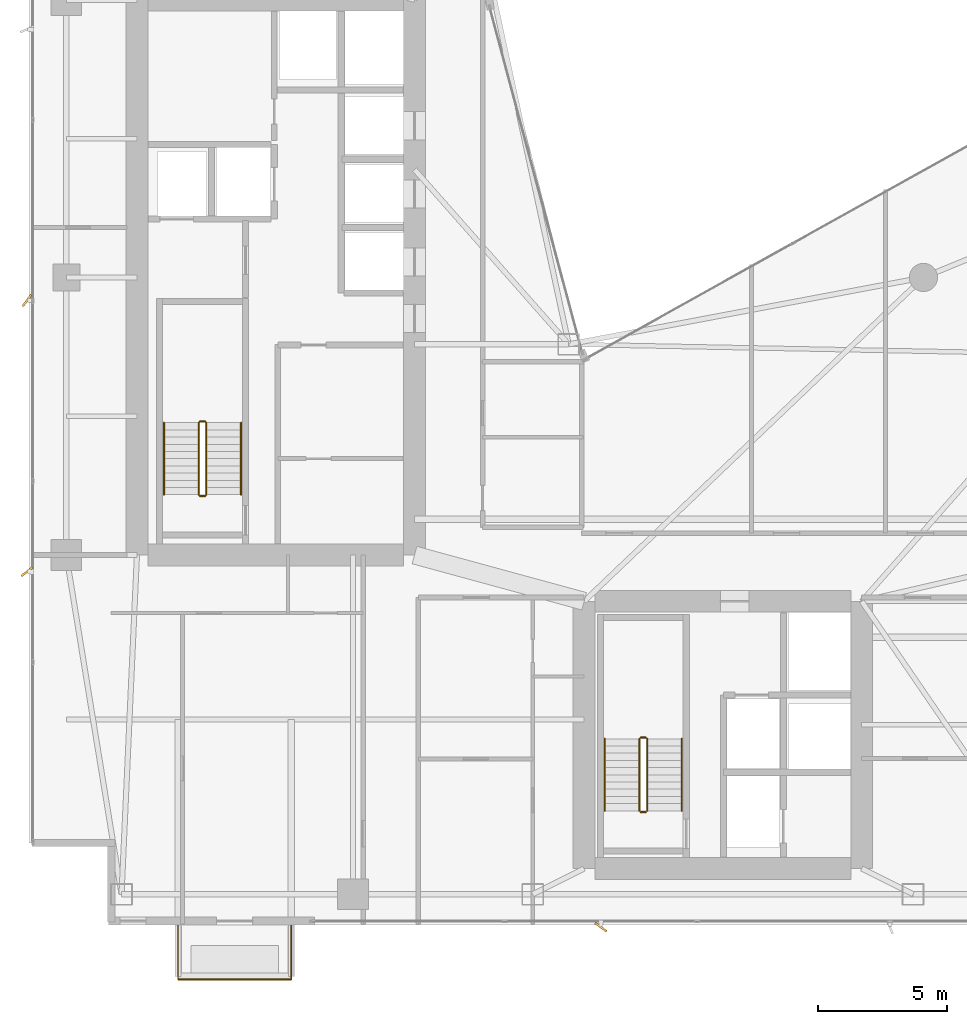
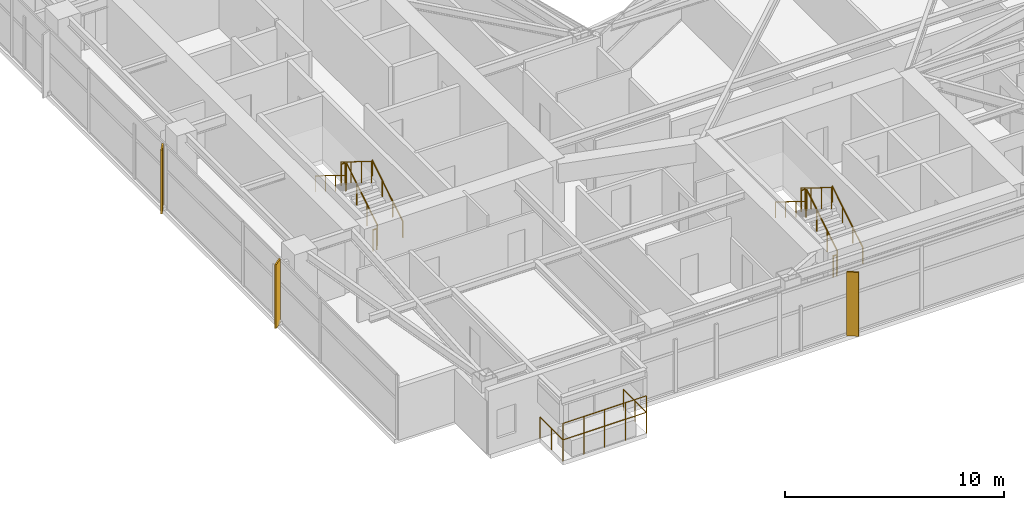
# One storey, part 28 of 29: 14 railings, 3 shading devices.
"""IFC4 building model written with IfcOpenShell, lengths in metres."""

from ifc_helpers import new_model, si_unit, direction, frame, origin, origin_2d, place, context, subcontext, project, spatial, rectangle, circle, extrude, material, type_object, element, save


model = new_model("IFC4")

# Units and contexts
model_context = context("Model", 3, precision=1e-05, world=origin(), true_north=direction((0.0, 1.0)))
body_context = subcontext(model_context, "Body", "Model", "MODEL_VIEW")
ifc_project = project(units=[si_unit("LENGTHUNIT", "METRE"), si_unit("AREAUNIT", "SQUARE_METRE"), si_unit("VOLUMEUNIT", "CUBIC_METRE"), si_unit("PLANEANGLEUNIT", "RADIAN"), si_unit("MASSUNIT", "GRAM", prefix="KILO")], contexts=[model_context])

# Site, building, storey
site_placement = place(None, origin())
site = spatial("IfcSite", under=ifc_project, at=site_placement, CompositionType="ELEMENT")
building_placement = place(site_placement, origin())
building = spatial("IfcBuilding", under=site, at=building_placement, Name="Calvorn Quay Hotel", CompositionType="ELEMENT")
storey_placement = place(building_placement, frame((0.0, 0.0, 175.10009765625)))
storey = spatial("IfcBuildingStorey", under=building, at=storey_placement, Name="L43", CompositionType="ELEMENT", Elevation=175.10009765625)

# Railings
ifc_material_1 = material(Name="Pale Anodised Aluminium and Laminated Glass", Category="aluminium")
railing_type_1 = type_object("IfcRailingType", Name="RLG-BALUSTRADE-1200", PredefinedType="BALUSTRADE", material=ifc_material_1)
railing_1_placement = place(storey_placement, frame((5.800048828125, 2.389892578125, 0.0)))
element("IfcRailing", 1, at=railing_1_placement, inside=storey, type_object=railing_type_1, Name="Tree Balcony Perimeter Balustrade L43-BALC-S", PredefinedType="BALUSTRADE", context=body_context, shape_type="SweptSolid", body=[
    extrude(circle(Radius=0.02392578125, at=origin_2d()), frame((0.0, 0.0, 1.17578125), z_axis=(0.0, -1.0, 0.0), x_axis=(1.0, 0.0, 0.0)), (0.0, 0.0, 1.0), 2.099853515625),
    extrude(circle(Radius=0.02392578125, at=origin_2d()), frame((0.0, -2.099853515625, 1.17578125), z_axis=(1.0, 0.0, 0.0), x_axis=(0.0, 1.0, 0.0)), (0.0, 0.0, 1.0), 4.39990234375),
    extrude(circle(Radius=0.02392578125, at=origin_2d()), frame((4.39990234375, -2.099853515625, 1.17578125), z_axis=(0.0, 1.0, 0.0), x_axis=(-1.0, 0.0, 0.0)), (0.0, 0.0, 1.0), 2.099853515625),
    extrude(circle(Radius=0.02099609375, at=origin_2d()), origin(), (0.0, 0.0, 1.0), 1.15185546875),
    extrude(circle(Radius=0.02099609375, at=origin_2d()), frame((0.0, -1.0498046875, 0.0)), (0.0, 0.0, 1.0), 1.15185546875),
    extrude(circle(Radius=0.02099609375, at=origin_2d()), frame((0.0, -2.099853515625, 0.0)), (0.0, 0.0, 1.0), 1.15185546875),
    extrude(circle(Radius=0.02099609375, at=origin_2d()), frame((1.10009765625, -2.099853515625, 0.0)), (0.0, 0.0, 1.0), 1.15185546875),
    extrude(circle(Radius=0.02099609375, at=origin_2d()), frame((2.199951171875, -2.099853515625, 0.0)), (0.0, 0.0, 1.0), 1.15185546875),
    extrude(circle(Radius=0.02099609375, at=origin_2d()), frame((3.2998046875, -2.099853515625, 0.0)), (0.0, 0.0, 1.0), 1.15185546875),
    extrude(circle(Radius=0.02099609375, at=origin_2d()), frame((4.39990234375, -2.099853515625, 0.0)), (0.0, 0.0, 1.0), 1.15185546875),
    extrude(circle(Radius=0.02099609375, at=origin_2d()), frame((4.39990234375, -1.0498046875, 0.0)), (0.0, 0.0, 1.0), 1.15185546875),
    extrude(circle(Radius=0.02099609375, at=origin_2d()), frame((4.39990234375, 0.0, 0.0)), (0.0, 0.0, 1.0), 1.15185546875),
])
railing_2_placement = place(storey_placement, frame((5.800048828125, 0.2900390625, 0.89990234375)))
element("IfcRailing", 2, at=railing_2_placement, inside=storey, type_object=railing_type_1, Name="Planter Kerb High Safety Screen L43-BALC-S", PredefinedType="BALUSTRADE", context=body_context, shape_type="SweptSolid", body=[
    extrude(circle(Radius=0.02392578125, at=origin_2d()), frame((0.0, 0.0, 1.19580078125), z_axis=(1.0, 0.0, 0.0), x_axis=(0.0, 1.0, 0.0)), (0.0, 0.0, 1.0), 4.39990234375),
    extrude(circle(Radius=0.02099609375, at=origin_2d()), origin(), (0.0, 0.0, 1.0), 1.171875),
    extrude(circle(Radius=0.02099609375, at=origin_2d()), frame((1.10009765625, 0.0, 0.0)), (0.0, 0.0, 1.0), 1.171875),
    extrude(circle(Radius=0.02099609375, at=origin_2d()), frame((2.199951171875, 0.0, 0.0)), (0.0, 0.0, 1.0), 1.171875),
    extrude(circle(Radius=0.02099609375, at=origin_2d()), frame((3.2998046875, 0.0, 0.0)), (0.0, 0.0, 1.0), 1.171875),
    extrude(circle(Radius=0.02099609375, at=origin_2d()), frame((4.39990234375, 0.0, 0.0)), (0.0, 0.0, 1.0), 1.171875),
])
ifc_material_2 = material(Name="Brushed Stainless Steel Handrail", Category="steel")
railing_type_2 = type_object("IfcRailingType", Name="RLG-HANDRAIL-900", PredefinedType="HANDRAIL", material=ifc_material_2)
railing_3_placement = place(storey_placement, frame((8.25, 19.14990234375, 0.172607421875)))
element("IfcRailing", 3, at=railing_3_placement, inside=storey, type_object=railing_type_2, Name="L43 ST-W stair handrail 1", PredefinedType="HANDRAIL", context=body_context, shape_type="SweptSolid", body=[
    extrude(circle(Radius=0.02392578125, at=origin_2d()), frame((0.0, 0.0, 0.8759765625), z_axis=(0.0, 0.851089632645, 0.525020415988), x_axis=(-1.0, 0.0, 0.0)), (0.0, 0.0, 1.0), 3.2900390625),
    extrude(circle(Radius=0.02099609375, at=origin_2d()), origin(), (0.0, 0.0, 1.0), 0.851806640625),
    extrude(circle(Radius=0.02099609375, at=origin_2d()), frame((0.0, 0.933349609375, 0.57568359375)), (0.0, 0.0, 1.0), 0.851806640625),
    extrude(circle(Radius=0.02099609375, at=origin_2d()), frame((0.0, 1.86669921875, 1.151611328125)), (0.0, 0.0, 1.0), 0.851806640625),
    extrude(circle(Radius=0.02099609375, at=origin_2d()), frame((0.0, 2.800048828125, 1.727294921875)), (0.0, 0.0, 1.0), 0.851806640625),
])
railing_4_placement = place(storey_placement, frame((5.25, 21.949951171875, 2.072509765625)))
element("IfcRailing", 4, at=railing_4_placement, inside=storey, type_object=railing_type_2, Name="L43 ST-W stair handrail 2", PredefinedType="HANDRAIL", context=body_context, shape_type="SweptSolid", body=[
    extrude(circle(Radius=0.02392578125, at=origin_2d()), frame((0.0, 0.0, 0.8759765625), z_axis=(0.0, -0.851089632645, 0.525020415988), x_axis=(1.0, 0.0, 0.0)), (0.0, 0.0, 1.0), 3.2900390625),
    extrude(circle(Radius=0.02099609375, at=origin_2d()), origin(), (0.0, 0.0, 1.0), 0.851806640625),
    extrude(circle(Radius=0.02099609375, at=origin_2d()), frame((0.0, -0.933349609375, 0.57568359375)), (0.0, 0.0, 1.0), 0.851806640625),
    extrude(circle(Radius=0.02099609375, at=origin_2d()), frame((0.0, -1.86669921875, 1.151611328125)), (0.0, 0.0, 1.0), 0.851806640625),
    extrude(circle(Radius=0.02099609375, at=origin_2d()), frame((0.0, -2.800048828125, 1.727294921875)), (0.0, 0.0, 1.0), 0.851806640625),
])
railing_5_placement = place(storey_placement, frame((25.39990234375, 6.85009765625, 0.172607421875)))
element("IfcRailing", 5, at=railing_5_placement, inside=storey, type_object=railing_type_2, Name="L43 ST-E stair handrail 1", PredefinedType="HANDRAIL", context=body_context, shape_type="SweptSolid", body=[
    extrude(circle(Radius=0.02392578125, at=origin_2d()), frame((0.0, 0.0, 0.8759765625), z_axis=(0.0, 0.851069175582, 0.525053576669), x_axis=(-1.0, 0.0, 0.0)), (0.0, 0.0, 1.0), 3.289794921875),
    extrude(circle(Radius=0.02099609375, at=origin_2d()), origin(), (0.0, 0.0, 1.0), 0.851806640625),
    extrude(circle(Radius=0.02099609375, at=origin_2d()), frame((0.0, 0.933349609375, 0.57568359375)), (0.0, 0.0, 1.0), 0.851806640625),
    extrude(circle(Radius=0.02099609375, at=origin_2d()), frame((0.0, 1.866455078125, 1.151611328125)), (0.0, 0.0, 1.0), 0.851806640625),
    extrude(circle(Radius=0.02099609375, at=origin_2d()), frame((0.0, 2.7998046875, 1.727294921875)), (0.0, 0.0, 1.0), 0.851806640625),
])
railing_6_placement = place(storey_placement, frame((22.39990234375, 9.64990234375, 2.072509765625)))
element("IfcRailing", 6, at=railing_6_placement, inside=storey, type_object=railing_type_2, Name="L43 ST-E stair handrail 2", PredefinedType="HANDRAIL", context=body_context, shape_type="SweptSolid", body=[
    extrude(circle(Radius=0.02392578125, at=origin_2d()), frame((0.0, 0.0, 0.8759765625), z_axis=(0.0, -0.851069175582, 0.525053576669), x_axis=(1.0, 0.0, 0.0)), (0.0, 0.0, 1.0), 3.289794921875),
    extrude(circle(Radius=0.02099609375, at=origin_2d()), origin(), (0.0, 0.0, 1.0), 0.851806640625),
    extrude(circle(Radius=0.02099609375, at=origin_2d()), frame((0.0, -0.933349609375, 0.57568359375)), (0.0, 0.0, 1.0), 0.851806640625),
    extrude(circle(Radius=0.02099609375, at=origin_2d()), frame((0.0, -1.866455078125, 1.151611328125)), (0.0, 0.0, 1.0), 0.851806640625),
    extrude(circle(Radius=0.02099609375, at=origin_2d()), frame((0.0, -2.7998046875, 1.727294921875)), (0.0, 0.0, 1.0), 0.851806640625),
])
ifc_material_3 = material(Name="Painted Galvanised Steel Balustrade", Category="steel")
railing_type_3 = type_object("IfcRailingType", Name="RLG-STAIR-GUARD-1120", PredefinedType="GUARDRAIL", material=ifc_material_3)
railing_7_placement = place(storey_placement, frame((6.89990234375, 19.14990234375, 0.172607421875)))
element("IfcRailing", 7, at=railing_7_placement, inside=storey, type_object=railing_type_3, Name="L43 ST-W stair guard 1", PredefinedType="GUARDRAIL", context=body_context, shape_type="SweptSolid", body=[
    extrude(circle(Radius=0.02392578125, at=origin_2d()), frame((0.0, 0.0, 1.17578125), z_axis=(0.0, 0.851089632645, 0.525020415988), x_axis=(-1.0, 0.0, 0.0)), (0.0, 0.0, 1.0), 3.2900390625),
    extrude(circle(Radius=0.02099609375, at=origin_2d()), origin(), (0.0, 0.0, 1.0), 1.15185546875),
    extrude(circle(Radius=0.02099609375, at=origin_2d()), frame((0.0, 0.933349609375, 0.57568359375)), (0.0, 0.0, 1.0), 1.15185546875),
    extrude(circle(Radius=0.02099609375, at=origin_2d()), frame((0.0, 1.86669921875, 1.151611328125)), (0.0, 0.0, 1.0), 1.15185546875),
    extrude(circle(Radius=0.02099609375, at=origin_2d()), frame((0.0, 2.800048828125, 1.727294921875)), (0.0, 0.0, 1.0), 1.15185546875),
])
railing_8_placement = place(storey_placement, frame((6.85009765625, 22.0, 1.89990234375)))
element("IfcRailing", 8, at=railing_8_placement, inside=storey, type_object=railing_type_3, Name="L43 ST-W stair guard 2", PredefinedType="GUARDRAIL", context=body_context, shape_type="SweptSolid", body=[
    extrude(circle(Radius=0.02392578125, at=origin_2d()), frame((0.0, 0.0, 1.17578125), z_axis=(-1.0, 0.0, 0.0), x_axis=(0.0, -1.0, 0.0)), (0.0, 0.0, 1.0), 0.2001953125),
    extrude(circle(Radius=0.02099609375, at=origin_2d()), origin(), (0.0, 0.0, 1.0), 1.15185546875),
    extrude(circle(Radius=0.02099609375, at=origin_2d()), frame((-0.2001953125, 0.0, 0.0)), (0.0, 0.0, 1.0), 1.15185546875),
])
railing_9_placement = place(storey_placement, frame((6.60009765625, 21.949951171875, 2.072509765625)))
element("IfcRailing", 9, at=railing_9_placement, inside=storey, type_object=railing_type_3, Name="L43 ST-W stair guard 3", PredefinedType="GUARDRAIL", context=body_context, shape_type="SweptSolid", body=[
    extrude(circle(Radius=0.02392578125, at=origin_2d()), frame((0.0, 0.0, 1.17578125), z_axis=(0.0, -0.851089632645, 0.525020415988), x_axis=(1.0, 0.0, 0.0)), (0.0, 0.0, 1.0), 3.2900390625),
    extrude(circle(Radius=0.02099609375, at=origin_2d()), origin(), (0.0, 0.0, 1.0), 1.15185546875),
    extrude(circle(Radius=0.02099609375, at=origin_2d()), frame((0.0, -0.933349609375, 0.57568359375)), (0.0, 0.0, 1.0), 1.15185546875),
    extrude(circle(Radius=0.02099609375, at=origin_2d()), frame((0.0, -1.86669921875, 1.151611328125)), (0.0, 0.0, 1.0), 1.15185546875),
    extrude(circle(Radius=0.02099609375, at=origin_2d()), frame((0.0, -2.800048828125, 1.727294921875)), (0.0, 0.0, 1.0), 1.15185546875),
])
railing_10_placement = place(storey_placement, frame((6.85009765625, 19.10009765625, 0.0)))
element("IfcRailing", 10, at=railing_10_placement, inside=storey, type_object=railing_type_3, Name="L43 ST-W stair guard 4", PredefinedType="GUARDRAIL", context=body_context, shape_type="SweptSolid", body=[
    extrude(circle(Radius=0.02392578125, at=origin_2d()), frame((0.0, 0.0, 1.17578125), z_axis=(-1.0, 0.0, 0.0), x_axis=(0.0, -1.0, 0.0)), (0.0, 0.0, 1.0), 0.2001953125),
    extrude(circle(Radius=0.02099609375, at=origin_2d()), origin(), (0.0, 0.0, 1.0), 1.15185546875),
    extrude(circle(Radius=0.02099609375, at=origin_2d()), frame((-0.2001953125, 0.0, 0.0)), (0.0, 0.0, 1.0), 1.15185546875),
])
railing_11_placement = place(storey_placement, frame((24.050048828125, 6.85009765625, 0.172607421875)))
element("IfcRailing", 11, at=railing_11_placement, inside=storey, type_object=railing_type_3, Name="L43 ST-E stair guard 1", PredefinedType="GUARDRAIL", context=body_context, shape_type="SweptSolid", body=[
    extrude(circle(Radius=0.02392578125, at=origin_2d()), frame((0.0, 0.0, 1.17578125), z_axis=(0.0, 0.851069175582, 0.525053576669), x_axis=(-1.0, 0.0, 0.0)), (0.0, 0.0, 1.0), 3.289794921875),
    extrude(circle(Radius=0.02099609375, at=origin_2d()), origin(), (0.0, 0.0, 1.0), 1.15185546875),
    extrude(circle(Radius=0.02099609375, at=origin_2d()), frame((0.0, 0.933349609375, 0.57568359375)), (0.0, 0.0, 1.0), 1.15185546875),
    extrude(circle(Radius=0.02099609375, at=origin_2d()), frame((0.0, 1.866455078125, 1.151611328125)), (0.0, 0.0, 1.0), 1.15185546875),
    extrude(circle(Radius=0.02099609375, at=origin_2d()), frame((0.0, 2.7998046875, 1.727294921875)), (0.0, 0.0, 1.0), 1.15185546875),
])
railing_12_placement = place(storey_placement, frame((24.0, 9.699951171875, 1.89990234375)))
element("IfcRailing", 12, at=railing_12_placement, inside=storey, type_object=railing_type_3, Name="L43 ST-E stair guard 2", PredefinedType="GUARDRAIL", context=body_context, shape_type="SweptSolid", body=[
    extrude(circle(Radius=0.02392578125, at=origin_2d()), frame((0.0, 0.0, 1.17578125), z_axis=(-1.0, 0.0, 0.0), x_axis=(0.0, -1.0, 0.0)), (0.0, 0.0, 1.0), 0.199951171875),
    extrude(circle(Radius=0.02099609375, at=origin_2d()), origin(), (0.0, 0.0, 1.0), 1.15185546875),
    extrude(circle(Radius=0.02099609375, at=origin_2d()), frame((-0.199951171875, 0.0, 0.0)), (0.0, 0.0, 1.0), 1.15185546875),
])
railing_13_placement = place(storey_placement, frame((23.75, 9.64990234375, 2.072509765625)))
element("IfcRailing", 13, at=railing_13_placement, inside=storey, type_object=railing_type_3, Name="L43 ST-E stair guard 3", PredefinedType="GUARDRAIL", context=body_context, shape_type="SweptSolid", body=[
    extrude(circle(Radius=0.02392578125, at=origin_2d()), frame((0.0, 0.0, 1.17578125), z_axis=(0.0, -0.851069175582, 0.525053576669), x_axis=(1.0, 0.0, 0.0)), (0.0, 0.0, 1.0), 3.289794921875),
    extrude(circle(Radius=0.02099609375, at=origin_2d()), origin(), (0.0, 0.0, 1.0), 1.15185546875),
    extrude(circle(Radius=0.02099609375, at=origin_2d()), frame((0.0, -0.933349609375, 0.57568359375)), (0.0, 0.0, 1.0), 1.15185546875),
    extrude(circle(Radius=0.02099609375, at=origin_2d()), frame((0.0, -1.866455078125, 1.151611328125)), (0.0, 0.0, 1.0), 1.15185546875),
    extrude(circle(Radius=0.02099609375, at=origin_2d()), frame((0.0, -2.7998046875, 1.727294921875)), (0.0, 0.0, 1.0), 1.15185546875),
])
railing_14_placement = place(storey_placement, frame((24.0, 6.800048828125, 0.0)))
element("IfcRailing", 14, at=railing_14_placement, inside=storey, type_object=railing_type_3, Name="L43 ST-E stair guard 4", PredefinedType="GUARDRAIL", context=body_context, shape_type="SweptSolid", body=[
    extrude(circle(Radius=0.02392578125, at=origin_2d()), frame((0.0, 0.0, 1.17578125), z_axis=(-1.0, 0.0, 0.0), x_axis=(0.0, -1.0, 0.0)), (0.0, 0.0, 1.0), 0.199951171875),
    extrude(circle(Radius=0.02099609375, at=origin_2d()), origin(), (0.0, 0.0, 1.0), 1.15185546875),
    extrude(circle(Radius=0.02099609375, at=origin_2d()), frame((-0.199951171875, 0.0, 0.0)), (0.0, 0.0, 1.0), 1.15185546875),
])

# Shading devices
ifc_material_4 = material(Name="Champagne Bronze Anodised Aluminium 6063-T6", Category="aluminium")
shading_device_type_1 = type_object("IfcShadingDeviceType", Name="SHD-FIN-A2", PredefinedType="USERDEFINED", material=ifc_material_4)
shading_device_placement = place(storey_placement, frame((-0.080078125, 16.14990234375, -0.000244140625), z_axis=(0.0, 0.0, 1.0), x_axis=(0.788010753607, 0.615661475326, 0.0)))
element("IfcShadingDevice", 15, at=shading_device_placement, inside=storey, type_object=shading_device_type_1, Name="Diagonal Sun-Shading Fin L43-W01", ObjectType="FIN", PredefinedType="USERDEFINED", context=body_context, shape_type="SweptSolid", body=[
    extrude(rectangle(XDim=0.550048828125, YDim=0.080078125, at=origin_2d()), origin(), (0.0, 0.0, 1.0), 3.56005859375),
])
ifc_material_5 = material(Name="Champagne Bronze Anodised Aluminium 6063-T6", Category="aluminium")
shading_device_type_2 = type_object("IfcShadingDeviceType", Name="SHD-FIN-A3", PredefinedType="USERDEFINED", material=ifc_material_5)
for number, where, z_axis, x_axis, name in (
    (16, (-0.080078125, 26.699951171875, -0.000244140625), (0.0, 0.0, 1.0), (0.587785252292, 0.809016994375, 0.0), "Diagonal Sun-Shading Fin L43-W02"),
    (17, (22.25, 2.320068359375, -0.000244140625), (0.0, 0.0, 1.0), (-0.809016994375, 0.587785252292, 0.0), "Diagonal Sun-Shading Fin L43-S01"),
):
    element("IfcShadingDevice", number, at=place(storey_placement, frame(where, z_axis=z_axis, x_axis=x_axis)), inside=storey, type_object=shading_device_type_2, Name=name, ObjectType="FIN", PredefinedType="USERDEFINED", context=body_context, shape_type="SweptSolid", body=[
        extrude(rectangle(XDim=0.550048828125, YDim=0.080078125, at=origin_2d()), origin(), (0.0, 0.0, 1.0), 3.56005859375),
    ])

save(model, "model.ifc")
